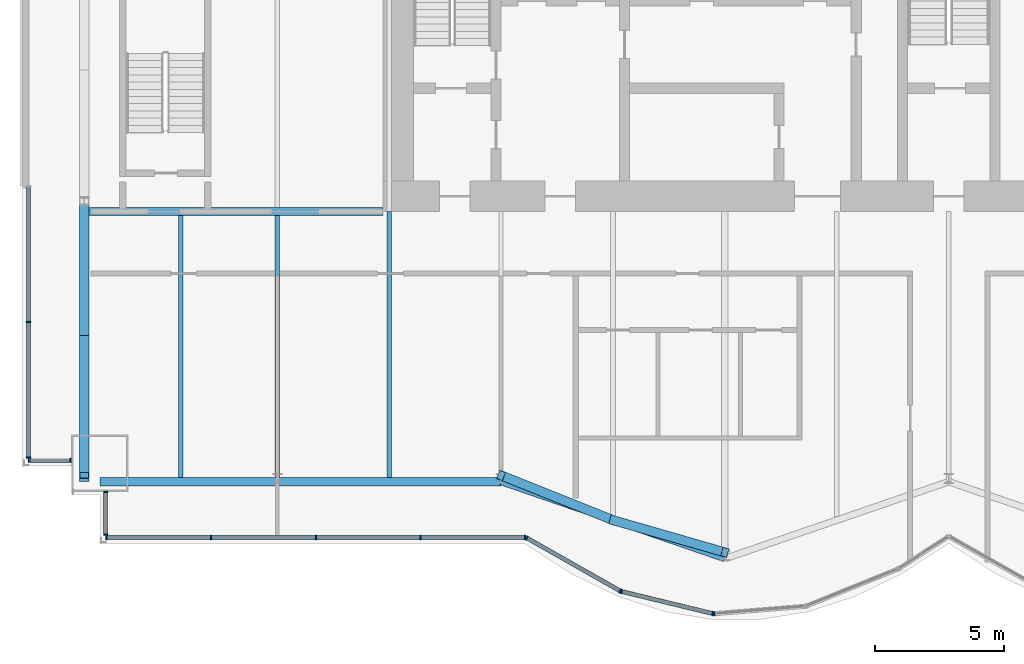
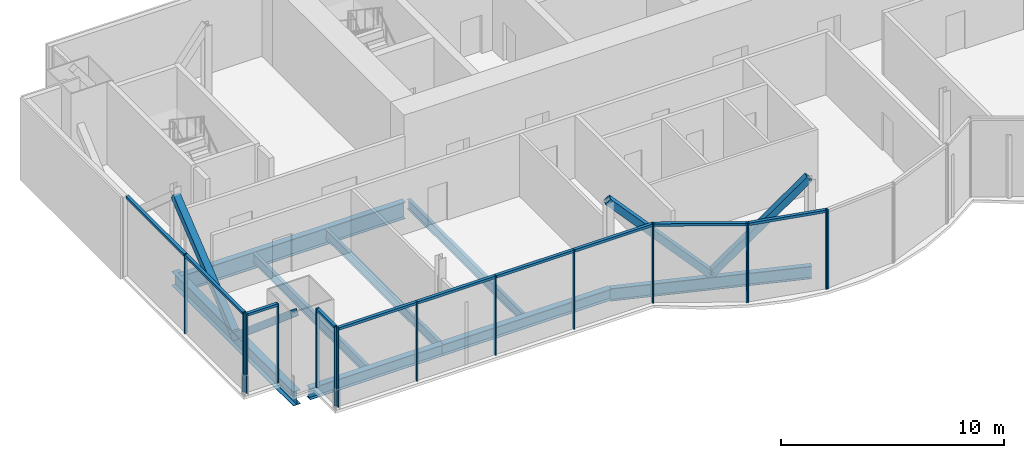
# One storey, part 4 of 17: 30 members, 8 beams, 5 elements without a shape of their own.
"""IFC4 building model written with IfcOpenShell, lengths in metres."""

from ifc_helpers import new_model, si_unit, direction, frame, origin, origin_2d, place, context, subcontext, project, spatial, rectangle, hollow_rectangle, i_section, extrude, material, material_profile, profile_set, type_object, element, aggregate, save


model = new_model("IFC4")

# Units and contexts
model_context = context("Model", 3, precision=1e-05, world=origin(), true_north=direction((0.0, 1.0)))
body_context = subcontext(model_context, "Body", "Model", "MODEL_VIEW")
ifc_project = project(units=[si_unit("LENGTHUNIT", "METRE"), si_unit("AREAUNIT", "SQUARE_METRE"), si_unit("VOLUMEUNIT", "CUBIC_METRE"), si_unit("PLANEANGLEUNIT", "RADIAN"), si_unit("MASSUNIT", "GRAM", prefix="KILO")], contexts=[model_context])

# Site, building, storey
site_placement = place(None, origin())
site = spatial("IfcSite", under=ifc_project, at=site_placement, CompositionType="ELEMENT")
building_placement = place(site_placement, origin())
building = spatial("IfcBuilding", under=site, at=building_placement, Name="Bicima Exchange Tower", CompositionType="ELEMENT")
storey_placement = place(building_placement, frame((0.0, 0.0, 320.0)))
storey = spatial("IfcBuildingStorey", under=building, at=storey_placement, Name="L72", CompositionType="ELEMENT", Elevation=320.0)

# Beam
ifc_material_1 = material(Name="Steel ASTM A992 Gr 50", Category="steel")
ifc_material_profile_1 = material_profile(ifc_material_1, i_section(OverallWidth=0.3046875, OverallDepth=0.911865234375, WebThickness=0.015869140625, FlangeThickness=0.02392578125, at=origin_2d()))
ifc_profile_set_1 = profile_set([ifc_material_profile_1], Name="Steel ASTM A992 Gr 50")
beam_type_1 = type_object("IfcBeamType", Name="Core-line girder W36x150", PredefinedType="BEAM", material=ifc_profile_set_1)
beam_1_placement = place(storey_placement, frame((-22.0, -13.0, -0.60595703125), z_axis=(-1.0, 0.0, 0.0), x_axis=(0.0, -1.0, 0.0)))
element("IfcBeam", 1, at=beam_1_placement, inside=storey, type_object=beam_type_1, Name="Core-line girder", PredefinedType="BEAM", context=body_context, shape_type="SweptSolid", body=[
    extrude(i_section(OverallWidth=0.3046875, OverallDepth=0.911865234375, WebThickness=0.015869140625, FlangeThickness=0.02392578125, at=origin_2d()), origin(), (0.0, 0.0, 1.0), 11.60009765625),
])

# Curtain wall, members
ifc_material_2 = material(Name="Anodised bronze aluminium", Category="aluminium")
curtain_wall_type_1 = type_object("IfcCurtainWallType", Name="End face glass wall", PredefinedType="NOTDEFINED", material=ifc_material_2)
curtain_wall_1_placement = place(storey_placement, origin())
curtain_wall_1 = element("IfcCurtainWall", 2, at=curtain_wall_1_placement, inside=storey, type_object=curtain_wall_type_1, Name="End face glass wall L72 run 2", PredefinedType="NOTDEFINED")
ifc_material_profile_2 = material_profile(ifc_material_2, rectangle(XDim=0.159912109375, YDim=0.06005859375, at=origin_2d()))
ifc_profile_set_2 = profile_set([ifc_material_profile_2], Name="Anodised bronze aluminium")
member_type_1 = type_object("IfcMemberType", Name="End face glass wall mullion 60 x 160", PredefinedType="MULLION", material=ifc_profile_set_2)
member_1_placement = place(storey_placement, frame((-35.77001953125, -17.29296875, 0.0), z_axis=(0.0, 0.0, 1.0), x_axis=(1.0, 0.0, 0.0)))
member_1 = element("IfcMember", 3, at=member_1_placement, type_object=member_type_1, Name="End face glass wall mullion 2", PredefinedType="MULLION", context=body_context, shape_type="SweptSolid", body=[
    extrude(rectangle(XDim=0.159912109375, YDim=0.06005859375, at=origin_2d()), origin(), (0.0, 0.0, 1.0), 4.35009765625),
])
member_2_placement = place(storey_placement, frame((-35.77001953125, -22.555908203125, 0.0), z_axis=(0.0, 0.0, 1.0), x_axis=(1.0, 0.0, 0.0)))
member_2 = element("IfcMember", 4, at=member_2_placement, type_object=member_type_1, Name="End face glass wall mullion 3", PredefinedType="MULLION", context=body_context, shape_type="SweptSolid", body=[
    extrude(rectangle(XDim=0.159912109375, YDim=0.06005859375, at=origin_2d()), origin(), (0.0, 0.0, 1.0), 4.35009765625),
])
ifc_material_profile_3 = material_profile(ifc_material_2, rectangle(XDim=0.159912109375, YDim=0.139892578125, at=origin_2d()))
ifc_profile_set_3 = profile_set([ifc_material_profile_3], Name="Anodised bronze aluminium")
member_type_2 = type_object("IfcMemberType", Name="End face glass wall transom 140 x 160", PredefinedType="USERDEFINED", material=ifc_profile_set_3)
member_3_placement = place(storey_placement, frame((-35.77001953125, -12.06005859375, 4.280029296875), z_axis=(0.0, -1.0, 0.0), x_axis=(1.0, 0.0, 0.0)))
member_3 = element("IfcMember", 5, at=member_3_placement, type_object=member_type_2, Name="End face glass wall transom 1.1", ObjectType="TRANSOM", PredefinedType="USERDEFINED", context=body_context, shape_type="SweptSolid", body=[
    extrude(rectangle(XDim=0.159912109375, YDim=0.139892578125, at=origin_2d()), origin(), (0.0, 0.0, 1.0), 5.202880859375),
])
member_4_placement = place(storey_placement, frame((-35.77001953125, -17.322998046875, 4.280029296875), z_axis=(0.0, -1.0, 0.0), x_axis=(1.0, 0.0, 0.0)))
member_4 = element("IfcMember", 6, at=member_4_placement, type_object=member_type_2, Name="End face glass wall transom 2.1", ObjectType="TRANSOM", PredefinedType="USERDEFINED", context=body_context, shape_type="SweptSolid", body=[
    extrude(rectangle(XDim=0.159912109375, YDim=0.139892578125, at=origin_2d()), origin(), (0.0, 0.0, 1.0), 5.202880859375),
])
aggregate(curtain_wall_1, [member_1, member_2, member_3, member_4])

# Beams
ifc_material_profile_4 = material_profile(ifc_material_1, i_section(OverallWidth=0.381103515625, OverallDepth=0.772216796875, WebThickness=0.0166015625, FlangeThickness=0.027099609375, at=origin_2d()))
ifc_profile_set_4 = profile_set([ifc_material_profile_4], Name="Steel ASTM A992 Gr 50")
beam_type_2 = type_object("IfcBeamType", Name="End girder W30x173", PredefinedType="BEAM", material=ifc_profile_set_4)
beam_2_placement = place(storey_placement, frame((-33.60009765625, -12.60009765625, -0.5361328125), z_axis=(0.0, -1.0, 0.0), x_axis=(1.0, 0.0, 0.0)))
element("IfcBeam", 7, at=beam_2_placement, inside=storey, type_object=beam_type_2, Name="End girder", PredefinedType="BEAM", context=body_context, shape_type="SweptSolid", body=[
    extrude(i_section(OverallWidth=0.381103515625, OverallDepth=0.772216796875, WebThickness=0.0166015625, FlangeThickness=0.027099609375, at=origin_2d()), origin(), (0.0, 0.0, 1.0), 10.89599609375),
])
ifc_material_profile_5 = material_profile(ifc_material_1, i_section(OverallWidth=0.165771484375, OverallDepth=0.5283203125, WebThickness=0.009765625, FlangeThickness=0.013671875, at=origin_2d()))
ifc_profile_set_5 = profile_set([ifc_material_profile_5], Name="Steel ASTM A992 Gr 50")
beam_type_3 = type_object("IfcBeamType", Name="Floor beam W21x50", PredefinedType="JOIST", material=ifc_profile_set_5)
for number, where, z_axis, x_axis, name in (
    (8, (-29.85009765625, -13.15234375, -0.414306640625), (0.0, -1.0, 0.0), (1.0, 0.0, 0.0), "Floor beam"),
    (9, (-26.10009765625, -13.15234375, -0.414306640625), (0.0, -1.0, 0.0), (1.0, 0.0, 0.0), "Floor beam"),
):
    element("IfcBeam", number, at=place(storey_placement, frame(where, z_axis=z_axis, x_axis=x_axis)), inside=storey, type_object=beam_type_3, Name=name, PredefinedType="JOIST", context=body_context, shape_type="SweptSolid", body=[
        extrude(i_section(OverallWidth=0.165771484375, OverallDepth=0.5283203125, WebThickness=0.009765625, FlangeThickness=0.013671875, at=origin_2d()), origin(), (0.0, 0.0, 1.0), 10.18115234375),
    ])
beam_3_placement = place(storey_placement, frame((-21.75, -13.0, -0.414306640625), z_axis=(0.0, -1.0, 0.0), x_axis=(1.0, 0.0, 0.0)))
element("IfcBeam", 10, at=beam_3_placement, inside=storey, type_object=beam_type_3, Name="Floor beam", PredefinedType="JOIST", context=body_context, shape_type="SweptSolid", body=[
    extrude(i_section(OverallWidth=0.165771484375, OverallDepth=0.5283203125, WebThickness=0.009765625, FlangeThickness=0.013671875, at=origin_2d()), origin(), (0.0, 0.0, 1.0), 10.33349609375),
])
ifc_material_profile_6 = material_profile(ifc_material_1, i_section(OverallWidth=0.3251953125, OverallDepth=0.612060546875, WebThickness=0.0126953125, FlangeThickness=0.01904296875, at=origin_2d()))
ifc_profile_set_6 = profile_set([ifc_material_profile_6], Name="Steel ASTM A992 Gr 50")
beam_type_4 = type_object("IfcBeamType", Name="Front girder W24x104", PredefinedType="BEAM", material=ifc_profile_set_6)
beam_4_placement = place(storey_placement, frame((-33.0, -23.49609375, -0.4560546875), z_axis=(1.0, 0.0, 0.0), x_axis=(0.0, 1.0, 0.0)))
element("IfcBeam", 11, at=beam_4_placement, inside=storey, type_object=beam_type_4, Name="Front girder", PredefinedType="BEAM", context=body_context, shape_type="SweptSolid", body=[
    extrude(i_section(OverallWidth=0.3251953125, OverallDepth=0.612060546875, WebThickness=0.0126953125, FlangeThickness=0.01904296875, at=origin_2d()), origin(), (0.0, 0.0, 1.0), 6.89990234375),
])
beam_5_placement = place(storey_placement, frame((-26.10009765625, -23.49609375, -0.4560546875), z_axis=(1.0, 0.0, 0.0), x_axis=(0.0, 1.0, 0.0)))
element("IfcBeam", 12, at=beam_5_placement, inside=storey, type_object=beam_type_4, Name="Front girder", PredefinedType="BEAM", context=body_context, shape_type="SweptSolid", body=[
    extrude(i_section(OverallWidth=0.3251953125, OverallDepth=0.612060546875, WebThickness=0.0126953125, FlangeThickness=0.01904296875, at=origin_2d()), origin(), (0.0, 0.0, 1.0), 8.7001953125),
])
ifc_material_profile_7 = material_profile(ifc_material_1, i_section(OverallWidth=0.256591796875, OverallDepth=0.693359375, WebThickness=0.014404296875, FlangeThickness=0.023681640625, at=origin_2d()))
ifc_profile_set_7 = profile_set([ifc_material_profile_7], Name="Steel ASTM A992 Gr 50")
beam_type_5 = type_object("IfcBeamType", Name="Front girder W27x114", PredefinedType="BEAM", material=ifc_profile_set_7)
beam_6_placement = place(storey_placement, frame((-17.39990234375, -23.49609375, -0.49658203125), z_axis=(0.945674616091, -0.32511462668, 0.0), x_axis=(0.32511462668, 0.945674616091, 0.0)))
element("IfcBeam", 13, at=beam_6_placement, inside=storey, type_object=beam_type_5, Name="Front girder", PredefinedType="BEAM", context=body_context, shape_type="SweptSolid", body=[
    extrude(i_section(OverallWidth=0.256591796875, OverallDepth=0.693359375, WebThickness=0.014404296875, FlangeThickness=0.023681640625, at=origin_2d()), origin(), (0.0, 0.0, 1.0), 9.19970703125),
])

# Curtain wall, members
curtain_wall_type_2 = type_object("IfcCurtainWallType", Name="Front glass wall", PredefinedType="NOTDEFINED", material=ifc_material_2)
curtain_wall_2_placement = place(storey_placement, origin())
curtain_wall_2 = element("IfcCurtainWall", 14, at=curtain_wall_2_placement, inside=storey, type_object=curtain_wall_type_2, Name="Front glass wall L72 run 3", PredefinedType="NOTDEFINED")
member_type_3 = type_object("IfcMemberType", Name="Front glass wall mullion 60 x 160", PredefinedType="MULLION", material=ifc_profile_set_2)
member_5_placement = place(storey_placement, frame((-35.739990234375, -22.666015625, 0.0), z_axis=(0.0, 0.0, 1.0), x_axis=(0.0, 1.0, 0.0)))
member_5 = element("IfcMember", 15, at=member_5_placement, type_object=member_type_3, Name="Front glass wall mullion 1", PredefinedType="MULLION", context=body_context, shape_type="SweptSolid", body=[
    extrude(rectangle(XDim=0.159912109375, YDim=0.06005859375, at=origin_2d()), origin(), (0.0, 0.0, 1.0), 4.35009765625),
])
member_6_placement = place(storey_placement, frame((-34.1298828125, -22.666015625, 0.0), z_axis=(0.0, 0.0, 1.0), x_axis=(0.0, 1.0, 0.0)))
member_6 = element("IfcMember", 16, at=member_6_placement, type_object=member_type_3, Name="Front glass wall mullion 2", PredefinedType="MULLION", context=body_context, shape_type="SweptSolid", body=[
    extrude(rectangle(XDim=0.159912109375, YDim=0.06005859375, at=origin_2d()), origin(), (0.0, 0.0, 1.0), 4.35009765625),
])

curtain_wall_3_placement = place(storey_placement, origin())
curtain_wall_3 = element("IfcCurtainWall", 17, at=curtain_wall_3_placement, inside=storey, type_object=curtain_wall_type_2, Name="Front glass wall L72 run 4", PredefinedType="NOTDEFINED")
member_7_placement = place(storey_placement, frame((-32.77001953125, -23.904052734375, 0.0), z_axis=(0.0, 0.0, 1.0), x_axis=(1.0, 0.0, 0.0)))
member_7 = element("IfcMember", 18, at=member_7_placement, type_object=member_type_3, Name="Front glass wall mullion 1", PredefinedType="MULLION", context=body_context, shape_type="SweptSolid", body=[
    extrude(rectangle(XDim=0.159912109375, YDim=0.06005859375, at=origin_2d()), origin(), (0.0, 0.0, 1.0), 4.35009765625),
])
member_8_placement = place(storey_placement, frame((-32.77001953125, -25.555908203125, 0.0), z_axis=(0.0, 0.0, 1.0), x_axis=(1.0, 0.0, 0.0)))
member_8 = element("IfcMember", 19, at=member_8_placement, type_object=member_type_3, Name="Front glass wall mullion 2", PredefinedType="MULLION", context=body_context, shape_type="SweptSolid", body=[
    extrude(rectangle(XDim=0.159912109375, YDim=0.06005859375, at=origin_2d()), origin(), (0.0, 0.0, 1.0), 4.35009765625),
])

curtain_wall_4_placement = place(storey_placement, origin())
curtain_wall_4 = element("IfcCurtainWall", 20, at=curtain_wall_4_placement, inside=storey, type_object=curtain_wall_type_2, Name="Front glass wall L72 run 5", PredefinedType="NOTDEFINED")
member_9_placement = place(storey_placement, frame((-32.739990234375, -25.666015625, 0.0), z_axis=(0.0, 0.0, 1.0), x_axis=(0.0, 1.0, 0.0)))
member_9 = element("IfcMember", 21, at=member_9_placement, type_object=member_type_3, Name="Front glass wall mullion 1", PredefinedType="MULLION", context=body_context, shape_type="SweptSolid", body=[
    extrude(rectangle(XDim=0.159912109375, YDim=0.06005859375, at=origin_2d()), origin(), (0.0, 0.0, 1.0), 4.35009765625),
])
member_10_placement = place(storey_placement, frame((-28.67041015625, -25.666015625, 0.0), z_axis=(0.0, 0.0, 1.0), x_axis=(0.0, 1.0, 0.0)))
member_10 = element("IfcMember", 22, at=member_10_placement, type_object=member_type_3, Name="Front glass wall mullion 2", PredefinedType="MULLION", context=body_context, shape_type="SweptSolid", body=[
    extrude(rectangle(XDim=0.159912109375, YDim=0.06005859375, at=origin_2d()), origin(), (0.0, 0.0, 1.0), 4.35009765625),
])
member_11_placement = place(storey_placement, frame((-24.60107421875, -25.666015625, 0.0), z_axis=(0.0, 0.0, 1.0), x_axis=(0.0, 1.0, 0.0)))
member_11 = element("IfcMember", 23, at=member_11_placement, type_object=member_type_3, Name="Front glass wall mullion 3", PredefinedType="MULLION", context=body_context, shape_type="SweptSolid", body=[
    extrude(rectangle(XDim=0.159912109375, YDim=0.06005859375, at=origin_2d()), origin(), (0.0, 0.0, 1.0), 4.35009765625),
])
member_12_placement = place(storey_placement, frame((-20.531494140625, -25.666015625, 0.0), z_axis=(0.0, 0.0, 1.0), x_axis=(0.0, 1.0, 0.0)))
member_12 = element("IfcMember", 24, at=member_12_placement, type_object=member_type_3, Name="Front glass wall mullion 4", PredefinedType="MULLION", context=body_context, shape_type="SweptSolid", body=[
    extrude(rectangle(XDim=0.159912109375, YDim=0.06005859375, at=origin_2d()), origin(), (0.0, 0.0, 1.0), 4.35009765625),
])
member_13_placement = place(storey_placement, frame((-16.462158203125, -25.666015625, 0.0), z_axis=(0.0, 0.0, 1.0), x_axis=(0.0, 1.0, 0.0)))
member_13 = element("IfcMember", 25, at=member_13_placement, type_object=member_type_3, Name="Front glass wall mullion 5", PredefinedType="MULLION", context=body_context, shape_type="SweptSolid", body=[
    extrude(rectangle(XDim=0.159912109375, YDim=0.06005859375, at=origin_2d()), origin(), (0.0, 0.0, 1.0), 4.35009765625),
])

curtain_wall_5_placement = place(storey_placement, origin())
curtain_wall_5 = element("IfcCurtainWall", 26, at=curtain_wall_5_placement, inside=storey, type_object=curtain_wall_type_2, Name="Front glass wall L72 run 6", PredefinedType="NOTDEFINED")
member_14_placement = place(storey_placement, frame((-16.406005859375, -25.680908203125, 0.0), z_axis=(0.0, 0.0, 1.0), x_axis=(0.493395449343, 0.869805110681, 0.0)))
member_14 = element("IfcMember", 27, at=member_14_placement, type_object=member_type_3, Name="Front glass wall mullion 1", PredefinedType="MULLION", context=body_context, shape_type="SweptSolid", body=[
    extrude(rectangle(XDim=0.159912109375, YDim=0.06005859375, at=origin_2d()), origin(), (0.0, 0.0, 1.0), 4.35009765625),
])
member_15_placement = place(storey_placement, frame((-12.7734375, -27.741455078125, 0.0), z_axis=(0.0, 0.0, 1.0), x_axis=(0.493395449343, 0.869805110681, 0.0)))
member_15 = element("IfcMember", 28, at=member_15_placement, type_object=member_type_3, Name="Front glass wall mullion 2", PredefinedType="MULLION", context=body_context, shape_type="SweptSolid", body=[
    extrude(rectangle(XDim=0.159912109375, YDim=0.06005859375, at=origin_2d()), origin(), (0.0, 0.0, 1.0), 4.35009765625),
])
member_16_placement = place(storey_placement, frame((-12.718017578125, -27.76318359375, 0.0), z_axis=(0.0, 0.0, 1.0), x_axis=(0.235681529503, 0.971830343553, 0.0)))
member_16 = element("IfcMember", 29, at=member_16_placement, type_object=member_type_3, Name="Front glass wall mullion 1", PredefinedType="MULLION", context=body_context, shape_type="SweptSolid", body=[
    extrude(rectangle(XDim=0.159912109375, YDim=0.06005859375, at=origin_2d()), origin(), (0.0, 0.0, 1.0), 4.35009765625),
])
member_17_placement = place(storey_placement, frame((-9.177490234375, -28.621826171875, 0.0), z_axis=(0.0, 0.0, 1.0), x_axis=(0.235681529503, 0.971830343553, 0.0)))
member_17 = element("IfcMember", 30, at=member_17_placement, type_object=member_type_3, Name="Front glass wall mullion 2", PredefinedType="MULLION", context=body_context, shape_type="SweptSolid", body=[
    extrude(rectangle(XDim=0.159912109375, YDim=0.06005859375, at=origin_2d()), origin(), (0.0, 0.0, 1.0), 4.35009765625),
])
member_18_placement = place(storey_placement, frame((-9.118408203125, -28.626708984375, 0.0), z_axis=(0.0, 0.0, 1.0), x_axis=(-0.080588612633, 0.99674744821, 0.0)))
member_18 = element("IfcMember", 31, at=member_18_placement, type_object=member_type_3, Name="Front glass wall mullion 1", PredefinedType="MULLION", context=body_context, shape_type="SweptSolid", body=[
    extrude(rectangle(XDim=0.159912109375, YDim=0.06005859375, at=origin_2d()), origin(), (0.0, 0.0, 1.0), 4.35009765625),
])

# Member
member_type_4 = type_object("IfcMemberType", Name="Front glass wall transom 140 x 160", PredefinedType="USERDEFINED", material=ifc_profile_set_3)
member_19_placement = place(storey_placement, frame((-35.7099609375, -22.666015625, 4.280029296875), z_axis=(1.0, 0.0, 0.0), x_axis=(0.0, 1.0, 0.0)))
member_19 = element("IfcMember", 32, at=member_19_placement, type_object=member_type_4, Name="Front glass wall transom 1.1", ObjectType="TRANSOM", PredefinedType="USERDEFINED", context=body_context, shape_type="SweptSolid", body=[
    extrude(rectangle(XDim=0.159912109375, YDim=0.139892578125, at=origin_2d()), origin(), (0.0, 0.0, 1.0), 1.550048828125),
])

aggregate(curtain_wall_2, [member_5, member_6, member_19])

member_20_placement = place(storey_placement, frame((-32.77001953125, -23.93408203125, 4.280029296875), z_axis=(0.0, -1.0, 0.0), x_axis=(1.0, 0.0, 0.0)))
member_20 = element("IfcMember", 33, at=member_20_placement, type_object=member_type_4, Name="Front glass wall transom 1.1", ObjectType="TRANSOM", PredefinedType="USERDEFINED", context=body_context, shape_type="SweptSolid", body=[
    extrude(rectangle(XDim=0.159912109375, YDim=0.139892578125, at=origin_2d()), origin(), (0.0, 0.0, 1.0), 1.591796875),
])

aggregate(curtain_wall_3, [member_7, member_8, member_20])

member_21_placement = place(storey_placement, frame((-32.7099609375, -25.666015625, 4.280029296875), z_axis=(1.0, 0.0, 0.0), x_axis=(0.0, 1.0, 0.0)))
member_21 = element("IfcMember", 34, at=member_21_placement, type_object=member_type_4, Name="Front glass wall transom 1.1", ObjectType="TRANSOM", PredefinedType="USERDEFINED", context=body_context, shape_type="SweptSolid", body=[
    extrude(rectangle(XDim=0.159912109375, YDim=0.139892578125, at=origin_2d()), origin(), (0.0, 0.0, 1.0), 4.009521484375),
])

member_22_placement = place(storey_placement, frame((-28.640380859375, -25.666015625, 4.280029296875), z_axis=(1.0, 0.0, 0.0), x_axis=(0.0, 1.0, 0.0)))
member_22 = element("IfcMember", 35, at=member_22_placement, type_object=member_type_4, Name="Front glass wall transom 2.1", ObjectType="TRANSOM", PredefinedType="USERDEFINED", context=body_context, shape_type="SweptSolid", body=[
    extrude(rectangle(XDim=0.159912109375, YDim=0.139892578125, at=origin_2d()), origin(), (0.0, 0.0, 1.0), 4.00927734375),
])

member_23_placement = place(storey_placement, frame((-24.571044921875, -25.666015625, 4.280029296875), z_axis=(1.0, 0.0, 0.0), x_axis=(0.0, 1.0, 0.0)))
member_23 = element("IfcMember", 36, at=member_23_placement, type_object=member_type_4, Name="Front glass wall transom 3.1", ObjectType="TRANSOM", PredefinedType="USERDEFINED", context=body_context, shape_type="SweptSolid", body=[
    extrude(rectangle(XDim=0.159912109375, YDim=0.139892578125, at=origin_2d()), origin(), (0.0, 0.0, 1.0), 4.009521484375),
])

member_24_placement = place(storey_placement, frame((-20.501708984375, -25.666015625, 4.280029296875), z_axis=(1.0, 0.0, 0.0), x_axis=(0.0, 1.0, 0.0)))
member_24 = element("IfcMember", 37, at=member_24_placement, type_object=member_type_4, Name="Front glass wall transom 4.1", ObjectType="TRANSOM", PredefinedType="USERDEFINED", context=body_context, shape_type="SweptSolid", body=[
    extrude(rectangle(XDim=0.159912109375, YDim=0.139892578125, at=origin_2d()), origin(), (0.0, 0.0, 1.0), 4.009521484375),
])

aggregate(curtain_wall_4, [member_9, member_10, member_11, member_12, member_13, member_21, member_22, member_23, member_24])

member_25_placement = place(storey_placement, frame((-16.3798828125, -25.695556640625, 4.280029296875), z_axis=(0.869797371721, -0.49340909208, 0.0), x_axis=(0.49340909208, 0.869797371721, 0.0)))
member_25 = element("IfcMember", 38, at=member_25_placement, type_object=member_type_4, Name="Front glass wall transom 1.1", ObjectType="TRANSOM", PredefinedType="USERDEFINED", context=body_context, shape_type="SweptSolid", body=[
    extrude(rectangle(XDim=0.159912109375, YDim=0.139892578125, at=origin_2d()), origin(), (0.0, 0.0, 1.0), 4.1162109375),
])

member_26_placement = place(storey_placement, frame((-12.68896484375, -27.770263671875, 4.280029296875), z_axis=(0.971817951661, -0.235732621477, 0.0), x_axis=(0.235732621477, 0.971817951661, 0.0)))
member_26 = element("IfcMember", 39, at=member_26_placement, type_object=member_type_4, Name="Front glass wall transom 1.1", ObjectType="TRANSOM", PredefinedType="USERDEFINED", context=body_context, shape_type="SweptSolid", body=[
    extrude(rectangle(XDim=0.159912109375, YDim=0.139892578125, at=origin_2d()), origin(), (0.0, 0.0, 1.0), 3.58349609375),
])

aggregate(curtain_wall_5, [member_14, member_15, member_25, member_16, member_17, member_26, member_18])

# Members
ifc_material_3 = material(Name="Steel ASTM A572 Gr 50", Category="steel")
ifc_material_profile_8 = material_profile(ifc_material_3, hollow_rectangle(XDim=0.355712890625, YDim=0.355712890625, WallThickness=0.01171875, at=origin_2d()))
ifc_profile_set_8 = profile_set([ifc_material_profile_8], Name="Steel ASTM A572 Gr 50")
member_type_5 = type_object("IfcMemberType", Name="Mega brace HSS14x14x1/2", PredefinedType="BRACE", material=ifc_profile_set_8)
member_27_placement = place(storey_placement, frame((-13.050048828125, -24.991455078125, 0.0), z_axis=(0.681534473108, -0.196106591291, 0.705019834343), x_axis=(0.276522876258, 0.961007335511, 0.0)))
element("IfcMember", 40, at=member_27_placement, inside=storey, type_object=member_type_5, Name="Mega brace front", PredefinedType="BRACE", context=body_context, shape_type="SweptSolid", body=[
    extrude(hollow_rectangle(XDim=0.355712890625, YDim=0.355712890625, WallThickness=0.01171875, at=origin_2d()), origin(), (0.0, 0.0, 1.0), 6.3828125),
])
member_28_placement = place(storey_placement, frame((-13.050048828125, -24.991455078125, 0.0), z_axis=(-0.669627633412, 0.267783402821, 0.692741569234), x_axis=(-0.371309808925, -0.928509033772, 0.0)))
element("IfcMember", 41, at=member_28_placement, inside=storey, type_object=member_type_5, Name="Mega brace front", PredefinedType="BRACE", context=body_context, shape_type="SweptSolid", body=[
    extrude(hollow_rectangle(XDim=0.355712890625, YDim=0.355712890625, WallThickness=0.01171875, at=origin_2d()), origin(), (0.0, 0.0, 1.0), 6.495849609375),
])
member_29_placement = place(storey_placement, frame((-33.60009765625, -17.926025390625, -0.5361328125), z_axis=(0.0, -0.76384961339, 0.64539427339), x_axis=(1.0, 0.0, 0.0)))
element("IfcMember", 42, at=member_29_placement, inside=storey, type_object=member_type_5, Name="Mega brace west end", PredefinedType="BRACE", context=body_context, shape_type="SweptSolid", body=[
    extrude(hollow_rectangle(XDim=0.355712890625, YDim=0.355712890625, WallThickness=0.01171875, at=origin_2d()), origin(), (0.0, 0.0, 1.0), 6.972412109375),
])
member_30_placement = place(storey_placement, frame((-33.60009765625, -18.169921875, -0.5361328125), z_axis=(0.0, 0.777852713674, 0.628446621305), x_axis=(-1.0, 0.0, 0.0)))
element("IfcMember", 43, at=member_30_placement, inside=storey, type_object=member_type_5, Name="Mega brace west end", PredefinedType="BRACE", context=body_context, shape_type="SweptSolid", body=[
    extrude(hollow_rectangle(XDim=0.355712890625, YDim=0.355712890625, WallThickness=0.01171875, at=origin_2d()), origin(), (0.0, 0.0, 1.0), 7.160400390625),
])

save(model, "model.ifc")
